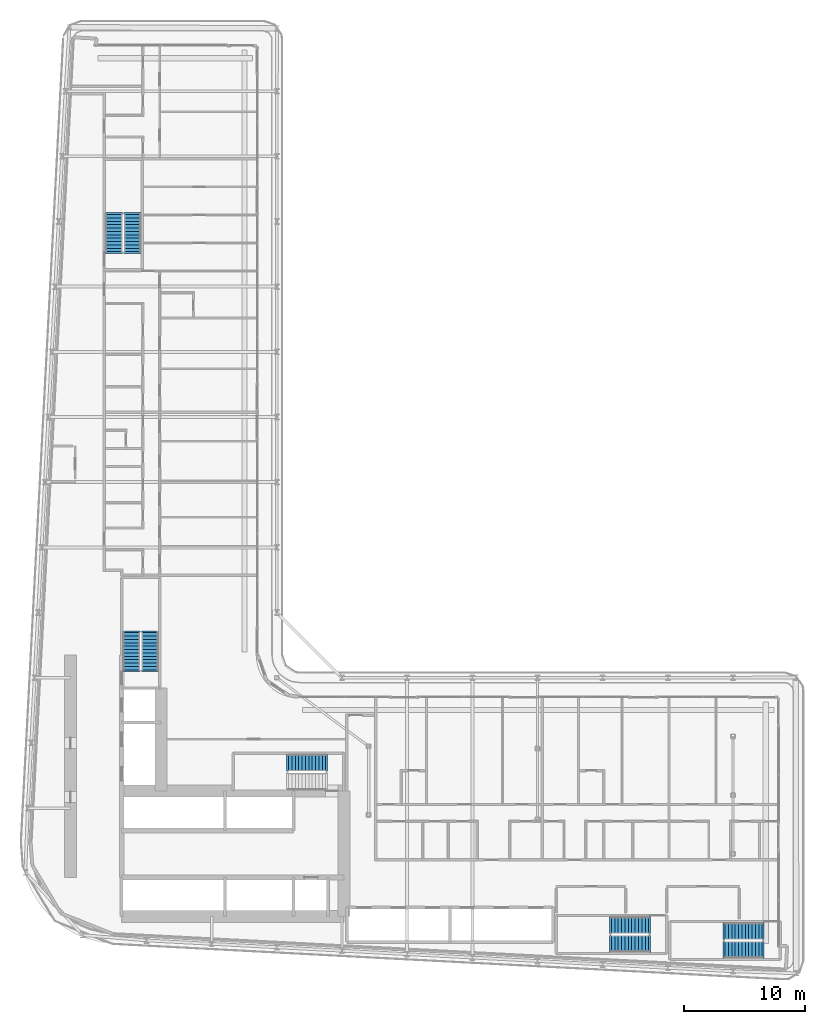
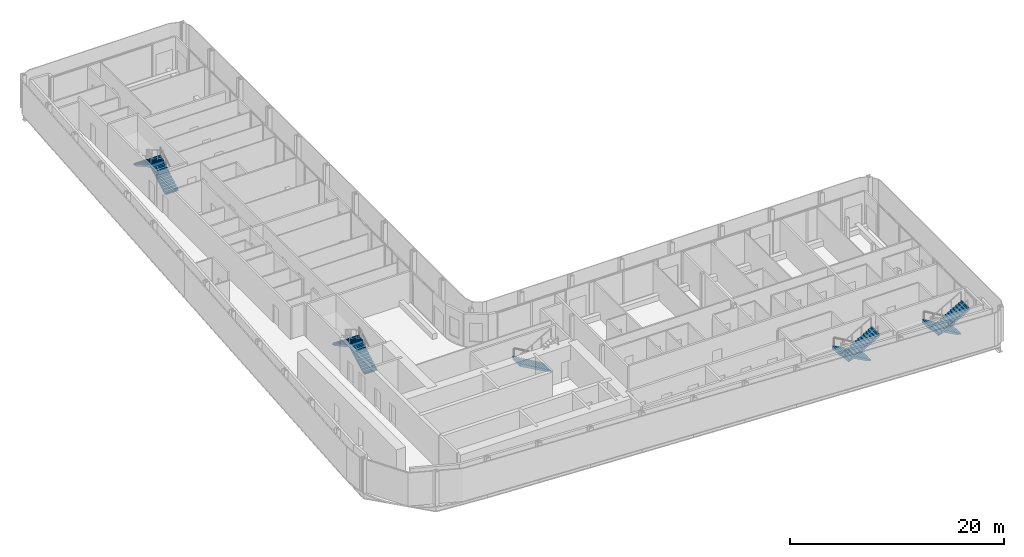
# One storey, part 18 of 25: 9 stair flights, 5 elements without a shape of their own.
"""IFC4 building model written with IfcOpenShell, lengths in metres."""

from ifc_helpers import new_model, si_unit, direction, frame, origin, place, context, subcontext, project, spatial, polyline, outline, extrude, material, layer, layer_set, type_object, element, aggregate, save


model = new_model("IFC4")

# Units and contexts
model_context = context("Model", 3, precision=1e-05, world=origin(), true_north=direction((0.0, 1.0)))
body_context = subcontext(model_context, "Body", "Model", "MODEL_VIEW")
ifc_project = project(units=[si_unit("LENGTHUNIT", "METRE"), si_unit("AREAUNIT", "SQUARE_METRE"), si_unit("VOLUMEUNIT", "CUBIC_METRE"), si_unit("PLANEANGLEUNIT", "RADIAN"), si_unit("MASSUNIT", "GRAM", prefix="KILO")], contexts=[model_context])

# Site, building, storey
site_placement = place(None, origin())
site = spatial("IfcSite", under=ifc_project, at=site_placement, CompositionType="ELEMENT")
building_placement = place(site_placement, origin())
building = spatial("IfcBuilding", under=site, at=building_placement, Name="Kheshtan School and Residences Tower", CompositionType="ELEMENT")
storey_placement = place(building_placement, frame((0.0, 0.0, 34.39990234375)))
storey = spatial("IfcBuildingStorey", under=building, at=storey_placement, Name="L07", CompositionType="ELEMENT", Elevation=34.39990234375)

# Stair, stair flight
ifc_material = material(Name="Concrete C40/50", Category="concrete")
stair_type = type_object("IfcStairType", Name="Exit stair, half-turn", PredefinedType="HALF_TURN_STAIR", material=ifc_material)
stair_1_placement = place(storey_placement, origin())
stair_1 = element("IfcStair", 1, at=stair_1_placement, inside=storey, type_object=stair_type, Name="L07 Protected Exit Stair ST1", PredefinedType="HALF_TURN_STAIR")
ifc_layer = layer(ifc_material, 0.14990234375)
ifc_layer_set = layer_set([ifc_layer], Name="Stair flight 1400 Concrete C40/50")
stair_flight_type = type_object("IfcStairFlightType", Name="Stair flight 1400 Concrete C40/50", PredefinedType="STRAIGHT", material=ifc_layer_set)
stair_flight_1_placement = place(storey_placement, frame((51.64990234375, 38.550048828125, 0.0), z_axis=(0.0, 0.0, 1.0), x_axis=(-1.0, 0.0, 0.0)))
stair_flight_1 = element("IfcStairFlight", 2, at=stair_flight_1_placement, type_object=stair_flight_type, Name="ST1 flight 1", NumberOfRisers=12, NumberOfTreads=11, PredefinedType="STRAIGHT", RiserHeight=0.1625, TreadLength=0.28, context=body_context, shape_type="SweptSolid", body=[
    extrude(outline(polyline([(-0.14990234375, -0.10009765625), (-0.14990234375, 0.0), (0.0, 0.0), (0.0, 0.16259765625), (0.280029296875, 0.16259765625), (0.280029296875, 0.324951171875), (0.56005859375, 0.324951171875), (0.56005859375, 0.487548828125), (0.840087890625, 0.487548828125), (0.840087890625, 0.64990234375), (1.1201171875, 0.64990234375), (1.1201171875, 0.8125), (1.39990234375, 0.8125), (1.39990234375, 0.97509765625), (1.679931640625, 0.97509765625), (1.679931640625, 1.137451171875), (1.9599609375, 1.137451171875), (1.9599609375, 1.300048828125), (2.239990234375, 1.300048828125), (2.239990234375, 1.46240234375), (2.52001953125, 1.46240234375), (2.52001953125, 1.625), (2.800048828125, 1.625), (2.800048828125, 1.78759765625), (3.080078125, 1.78759765625), (3.080078125, 1.949951171875), (3.080078125, 1.969970703125), (3.22998046875, 1.969970703125), (3.22998046875, 1.6142578125), (0.298583984375, 0.0), (-0.14990234375, -0.10009765625)])), frame((0.0, 0.699951171875, 0.0), z_axis=(0.0, -1.0, 0.0), x_axis=(1.0, 0.0, 0.0)), (0.0, 0.0, 1.0), 1.39990234375),
])
aggregate(stair_1, [stair_flight_1])

# Stair, stair flights
stair_2_placement = place(storey_placement, origin())
stair_2 = element("IfcStair", 3, at=stair_2_placement, inside=storey, type_object=stair_type, Name="L07 Protected Exit Stair ST2", PredefinedType="HALF_TURN_STAIR")
stair_flight_2_placement = place(storey_placement, frame((37.10009765625, 46.25, 0.0), z_axis=(0.0, 0.0, 1.0), x_axis=(0.0, 1.0, 0.0)))
stair_flight_2 = element("IfcStairFlight", 4, at=stair_flight_2_placement, type_object=stair_flight_type, Name="ST2 flight 1", NumberOfRisers=12, NumberOfTreads=11, PredefinedType="STRAIGHT", RiserHeight=0.1625, TreadLength=0.28, context=body_context, shape_type="SweptSolid", body=[
    extrude(outline(polyline([(-0.14990234375, -0.10009765625), (-0.14990234375, 0.0), (0.0, 0.0), (0.0, 0.16259765625), (0.280029296875, 0.16259765625), (0.280029296875, 0.324951171875), (0.56005859375, 0.324951171875), (0.56005859375, 0.487548828125), (0.840087890625, 0.487548828125), (0.840087890625, 0.64990234375), (1.1201171875, 0.64990234375), (1.1201171875, 0.8125), (1.39990234375, 0.8125), (1.39990234375, 0.97509765625), (1.679931640625, 0.97509765625), (1.679931640625, 1.137451171875), (1.9599609375, 1.137451171875), (1.9599609375, 1.300048828125), (2.239990234375, 1.300048828125), (2.239990234375, 1.46240234375), (2.52001953125, 1.46240234375), (2.52001953125, 1.625), (2.800048828125, 1.625), (2.800048828125, 1.78759765625), (3.080078125, 1.78759765625), (3.080078125, 1.949951171875), (3.080078125, 1.969970703125), (3.22998046875, 1.969970703125), (3.22998046875, 1.6142578125), (0.298583984375, 0.0), (-0.14990234375, -0.10009765625)])), frame((0.0, 0.699951171875, 0.0), z_axis=(0.0, -1.0, 0.0), x_axis=(1.0, 0.0, 0.0)), (0.0, 0.0, 1.0), 1.39990234375),
])
stair_flight_3_placement = place(storey_placement, frame((35.550048828125, 49.330078125, 1.9501953125), z_axis=(0.0, 0.0, 1.0), x_axis=(0.0, -1.0, 0.0)))
stair_flight_3 = element("IfcStairFlight", 5, at=stair_flight_3_placement, type_object=stair_flight_type, Name="ST2 flight 2", NumberOfRisers=12, NumberOfTreads=11, PredefinedType="STRAIGHT", RiserHeight=0.1625, TreadLength=0.28, context=body_context, shape_type="SweptSolid", body=[
    extrude(outline(polyline([(-0.14990234375, -0.10009765625), (-0.14990234375, 0.0), (0.0, 0.0), (0.0, 0.16259765625), (0.280029296875, 0.16259765625), (0.280029296875, 0.324951171875), (0.56005859375, 0.324951171875), (0.56005859375, 0.487548828125), (0.840087890625, 0.487548828125), (0.840087890625, 0.64990234375), (1.1201171875, 0.64990234375), (1.1201171875, 0.8125), (1.39990234375, 0.8125), (1.39990234375, 0.97509765625), (1.679931640625, 0.97509765625), (1.679931640625, 1.137451171875), (1.9599609375, 1.137451171875), (1.9599609375, 1.300048828125), (2.239990234375, 1.300048828125), (2.239990234375, 1.46240234375), (2.52001953125, 1.46240234375), (2.52001953125, 1.625), (2.800048828125, 1.625), (2.800048828125, 1.78759765625), (3.080078125, 1.78759765625), (3.080078125, 1.949951171875), (3.080078125, 1.969970703125), (3.22998046875, 1.969970703125), (3.22998046875, 1.6142578125), (0.298583984375, 0.0), (-0.14990234375, -0.10009765625)])), frame((0.0, 0.699951171875, 0.0), z_axis=(0.0, -1.0, 0.0), x_axis=(1.0, 0.0, 0.0)), (0.0, 0.0, 1.0), 1.39990234375),
])
aggregate(stair_2, [stair_flight_2, stair_flight_3])

stair_3_placement = place(storey_placement, origin())
stair_3 = element("IfcStair", 6, at=stair_3_placement, inside=storey, type_object=stair_type, Name="L07 Protected Exit Stair ST3", PredefinedType="HALF_TURN_STAIR")
stair_flight_4_placement = place(storey_placement, frame((35.64990234375, 80.89990234375, 0.0), z_axis=(0.0, 0.0, 1.0), x_axis=(0.0, 1.0, 0.0)))
stair_flight_4 = element("IfcStairFlight", 7, at=stair_flight_4_placement, type_object=stair_flight_type, Name="ST3 flight 1", NumberOfRisers=12, NumberOfTreads=11, PredefinedType="STRAIGHT", RiserHeight=0.1625, TreadLength=0.28, context=body_context, shape_type="SweptSolid", body=[
    extrude(outline(polyline([(-0.14990234375, -0.10009765625), (-0.14990234375, 0.0), (0.0, 0.0), (0.0, 0.16259765625), (0.280029296875, 0.16259765625), (0.280029296875, 0.324951171875), (0.56005859375, 0.324951171875), (0.56005859375, 0.487548828125), (0.840087890625, 0.487548828125), (0.840087890625, 0.64990234375), (1.1201171875, 0.64990234375), (1.1201171875, 0.8125), (1.39990234375, 0.8125), (1.39990234375, 0.97509765625), (1.679931640625, 0.97509765625), (1.679931640625, 1.137451171875), (1.9599609375, 1.137451171875), (1.9599609375, 1.300048828125), (2.239990234375, 1.300048828125), (2.239990234375, 1.46240234375), (2.52001953125, 1.46240234375), (2.52001953125, 1.625), (2.800048828125, 1.625), (2.800048828125, 1.78759765625), (3.080078125, 1.78759765625), (3.080078125, 1.949951171875), (3.080078125, 1.969970703125), (3.22998046875, 1.969970703125), (3.22998046875, 1.6142578125), (0.298583984375, 0.0), (-0.14990234375, -0.10009765625)])), frame((0.0, 0.699951171875, 0.0), z_axis=(0.0, -1.0, 0.0), x_axis=(1.0, 0.0, 0.0)), (0.0, 0.0, 1.0), 1.39990234375),
])
stair_flight_5_placement = place(storey_placement, frame((34.10009765625, 83.97998046875, 1.9501953125), z_axis=(0.0, 0.0, 1.0), x_axis=(0.0, -1.0, 0.0)))
stair_flight_5 = element("IfcStairFlight", 8, at=stair_flight_5_placement, type_object=stair_flight_type, Name="ST3 flight 2", NumberOfRisers=12, NumberOfTreads=11, PredefinedType="STRAIGHT", RiserHeight=0.1625, TreadLength=0.28, context=body_context, shape_type="SweptSolid", body=[
    extrude(outline(polyline([(-0.14990234375, -0.10009765625), (-0.14990234375, 0.0), (0.0, 0.0), (0.0, 0.16259765625), (0.280029296875, 0.16259765625), (0.280029296875, 0.324951171875), (0.56005859375, 0.324951171875), (0.56005859375, 0.487548828125), (0.840087890625, 0.487548828125), (0.840087890625, 0.64990234375), (1.1201171875, 0.64990234375), (1.1201171875, 0.8125), (1.39990234375, 0.8125), (1.39990234375, 0.97509765625), (1.679931640625, 0.97509765625), (1.679931640625, 1.137451171875), (1.9599609375, 1.137451171875), (1.9599609375, 1.300048828125), (2.239990234375, 1.300048828125), (2.239990234375, 1.46240234375), (2.52001953125, 1.46240234375), (2.52001953125, 1.625), (2.800048828125, 1.625), (2.800048828125, 1.78759765625), (3.080078125, 1.78759765625), (3.080078125, 1.949951171875), (3.080078125, 1.969970703125), (3.22998046875, 1.969970703125), (3.22998046875, 1.6142578125), (0.298583984375, 0.0), (-0.14990234375, -0.10009765625)])), frame((0.0, 0.699951171875, 0.0), z_axis=(0.0, -1.0, 0.0), x_axis=(1.0, 0.0, 0.0)), (0.0, 0.0, 1.0), 1.39990234375),
])
aggregate(stair_3, [stair_flight_4, stair_flight_5])

stair_4_placement = place(storey_placement, origin())
stair_4 = element("IfcStair", 9, at=stair_4_placement, inside=storey, type_object=stair_type, Name="L07 Protected Exit Stair ST4", PredefinedType="HALF_TURN_STAIR")
stair_flight_6_placement = place(storey_placement, frame((87.820068359375, 24.60009765625, 0.0), z_axis=(0.0, 0.0, 1.0), x_axis=(-1.0, 0.0, 0.0)))
stair_flight_6 = element("IfcStairFlight", 10, at=stair_flight_6_placement, type_object=stair_flight_type, Name="ST4 flight 1", NumberOfRisers=12, NumberOfTreads=11, PredefinedType="STRAIGHT", RiserHeight=0.1625, TreadLength=0.28, context=body_context, shape_type="SweptSolid", body=[
    extrude(outline(polyline([(-0.14990234375, -0.10009765625), (-0.14990234375, 0.0), (0.0, 0.0), (0.0, 0.16259765625), (0.280029296875, 0.16259765625), (0.280029296875, 0.324951171875), (0.56005859375, 0.324951171875), (0.56005859375, 0.487548828125), (0.840087890625, 0.487548828125), (0.840087890625, 0.64990234375), (1.1201171875, 0.64990234375), (1.1201171875, 0.8125), (1.39990234375, 0.8125), (1.39990234375, 0.97509765625), (1.679931640625, 0.97509765625), (1.679931640625, 1.137451171875), (1.9599609375, 1.137451171875), (1.9599609375, 1.300048828125), (2.239990234375, 1.300048828125), (2.239990234375, 1.46240234375), (2.52001953125, 1.46240234375), (2.52001953125, 1.625), (2.800048828125, 1.625), (2.800048828125, 1.78759765625), (3.080078125, 1.78759765625), (3.080078125, 1.949951171875), (3.080078125, 1.969970703125), (3.22998046875, 1.969970703125), (3.22998046875, 1.6142578125), (0.298583984375, 0.0), (-0.14990234375, -0.10009765625)])), frame((0.0, 0.699951171875, 0.0), z_axis=(0.0, -1.0, 0.0), x_axis=(1.0, 0.0, 0.0)), (0.0, 0.0, 1.0), 1.39990234375),
])
stair_flight_7_placement = place(storey_placement, frame((84.739990234375, 23.050048828125, 1.9501953125), z_axis=(0.0, 0.0, 1.0), x_axis=(1.0, 0.0, 0.0)))
stair_flight_7 = element("IfcStairFlight", 11, at=stair_flight_7_placement, type_object=stair_flight_type, Name="ST4 flight 2", NumberOfRisers=12, NumberOfTreads=11, PredefinedType="STRAIGHT", RiserHeight=0.1625, TreadLength=0.28, context=body_context, shape_type="SweptSolid", body=[
    extrude(outline(polyline([(-0.14990234375, -0.10009765625), (-0.14990234375, 0.0), (0.0, 0.0), (0.0, 0.16259765625), (0.280029296875, 0.16259765625), (0.280029296875, 0.324951171875), (0.56005859375, 0.324951171875), (0.56005859375, 0.487548828125), (0.840087890625, 0.487548828125), (0.840087890625, 0.64990234375), (1.1201171875, 0.64990234375), (1.1201171875, 0.8125), (1.39990234375, 0.8125), (1.39990234375, 0.97509765625), (1.679931640625, 0.97509765625), (1.679931640625, 1.137451171875), (1.9599609375, 1.137451171875), (1.9599609375, 1.300048828125), (2.239990234375, 1.300048828125), (2.239990234375, 1.46240234375), (2.52001953125, 1.46240234375), (2.52001953125, 1.625), (2.800048828125, 1.625), (2.800048828125, 1.78759765625), (3.080078125, 1.78759765625), (3.080078125, 1.949951171875), (3.080078125, 1.969970703125), (3.22998046875, 1.969970703125), (3.22998046875, 1.6142578125), (0.298583984375, 0.0), (-0.14990234375, -0.10009765625)])), frame((0.0, 0.699951171875, 0.0), z_axis=(0.0, -1.0, 0.0), x_axis=(1.0, 0.0, 0.0)), (0.0, 0.0, 1.0), 1.39990234375),
])
aggregate(stair_4, [stair_flight_6, stair_flight_7])

stair_5_placement = place(storey_placement, origin())
stair_5 = element("IfcStair", 12, at=stair_5_placement, inside=storey, type_object=stair_type, Name="L07 Protected Exit Stair ST5", PredefinedType="HALF_TURN_STAIR")
stair_flight_8_placement = place(storey_placement, frame((78.409912109375, 25.10009765625, 0.0), z_axis=(0.0, 0.0, 1.0), x_axis=(-1.0, 0.0, 0.0)))
stair_flight_8 = element("IfcStairFlight", 13, at=stair_flight_8_placement, type_object=stair_flight_type, Name="ST5 flight 1", NumberOfRisers=12, NumberOfTreads=11, PredefinedType="STRAIGHT", RiserHeight=0.1625, TreadLength=0.28, context=body_context, shape_type="SweptSolid", body=[
    extrude(outline(polyline([(-0.14990234375, -0.10009765625), (-0.14990234375, 0.0), (0.0, 0.0), (0.0, 0.16259765625), (0.280029296875, 0.16259765625), (0.280029296875, 0.324951171875), (0.56005859375, 0.324951171875), (0.56005859375, 0.487548828125), (0.840087890625, 0.487548828125), (0.840087890625, 0.64990234375), (1.1201171875, 0.64990234375), (1.1201171875, 0.8125), (1.39990234375, 0.8125), (1.39990234375, 0.97509765625), (1.679931640625, 0.97509765625), (1.679931640625, 1.137451171875), (1.9599609375, 1.137451171875), (1.9599609375, 1.300048828125), (2.239990234375, 1.300048828125), (2.239990234375, 1.46240234375), (2.52001953125, 1.46240234375), (2.52001953125, 1.625), (2.800048828125, 1.625), (2.800048828125, 1.78759765625), (3.080078125, 1.78759765625), (3.080078125, 1.949951171875), (3.080078125, 1.969970703125), (3.22998046875, 1.969970703125), (3.22998046875, 1.6142578125), (0.298583984375, 0.0), (-0.14990234375, -0.10009765625)])), frame((0.0, 0.699951171875, 0.0), z_axis=(0.0, -1.0, 0.0), x_axis=(1.0, 0.0, 0.0)), (0.0, 0.0, 1.0), 1.39990234375),
])
stair_flight_9_placement = place(storey_placement, frame((75.330078125, 23.550048828125, 1.9501953125), z_axis=(0.0, 0.0, 1.0), x_axis=(1.0, 0.0, 0.0)))
stair_flight_9 = element("IfcStairFlight", 14, at=stair_flight_9_placement, type_object=stair_flight_type, Name="ST5 flight 2", NumberOfRisers=12, NumberOfTreads=11, PredefinedType="STRAIGHT", RiserHeight=0.1625, TreadLength=0.28, context=body_context, shape_type="SweptSolid", body=[
    extrude(outline(polyline([(-0.14990234375, -0.10009765625), (-0.14990234375, 0.0), (0.0, 0.0), (0.0, 0.16259765625), (0.280029296875, 0.16259765625), (0.280029296875, 0.324951171875), (0.56005859375, 0.324951171875), (0.56005859375, 0.487548828125), (0.840087890625, 0.487548828125), (0.840087890625, 0.64990234375), (1.1201171875, 0.64990234375), (1.1201171875, 0.8125), (1.39990234375, 0.8125), (1.39990234375, 0.97509765625), (1.679931640625, 0.97509765625), (1.679931640625, 1.137451171875), (1.9599609375, 1.137451171875), (1.9599609375, 1.300048828125), (2.239990234375, 1.300048828125), (2.239990234375, 1.46240234375), (2.52001953125, 1.46240234375), (2.52001953125, 1.625), (2.800048828125, 1.625), (2.800048828125, 1.78759765625), (3.080078125, 1.78759765625), (3.080078125, 1.949951171875), (3.080078125, 1.969970703125), (3.22998046875, 1.969970703125), (3.22998046875, 1.6142578125), (0.298583984375, 0.0), (-0.14990234375, -0.10009765625)])), frame((0.0, 0.699951171875, 0.0), z_axis=(0.0, -1.0, 0.0), x_axis=(1.0, 0.0, 0.0)), (0.0, 0.0, 1.0), 1.39990234375),
])
aggregate(stair_5, [stair_flight_8, stair_flight_9])

save(model, "model.ifc")
